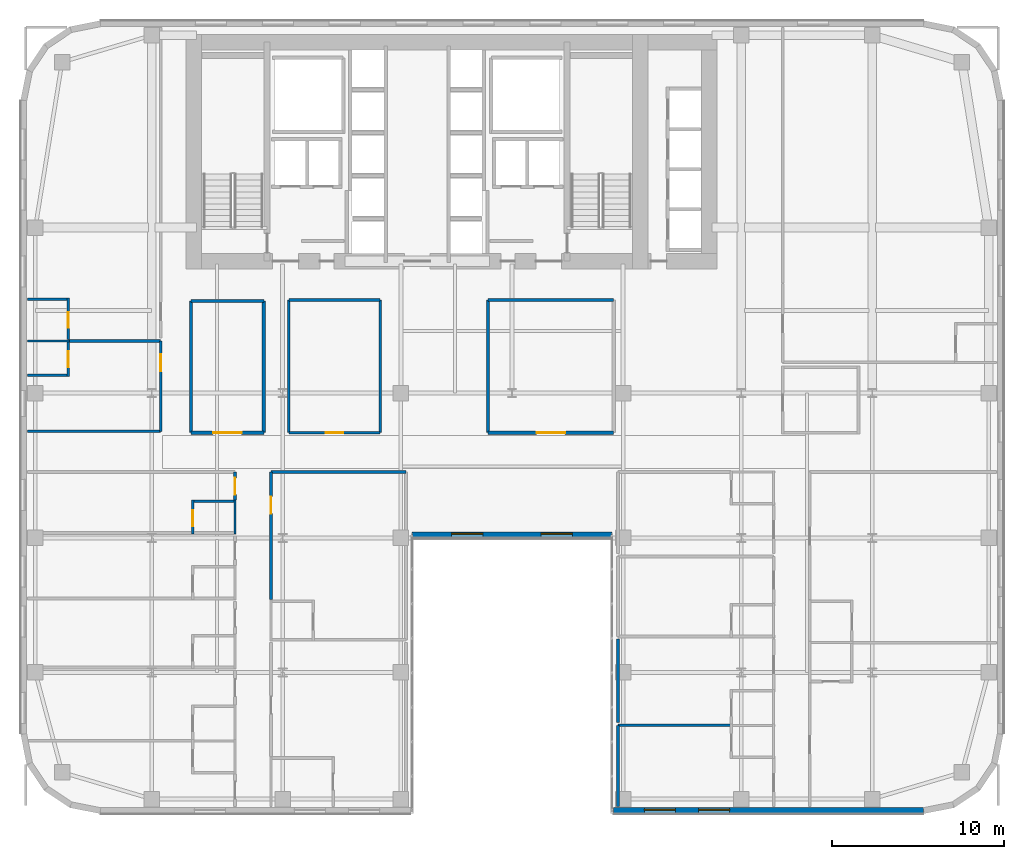
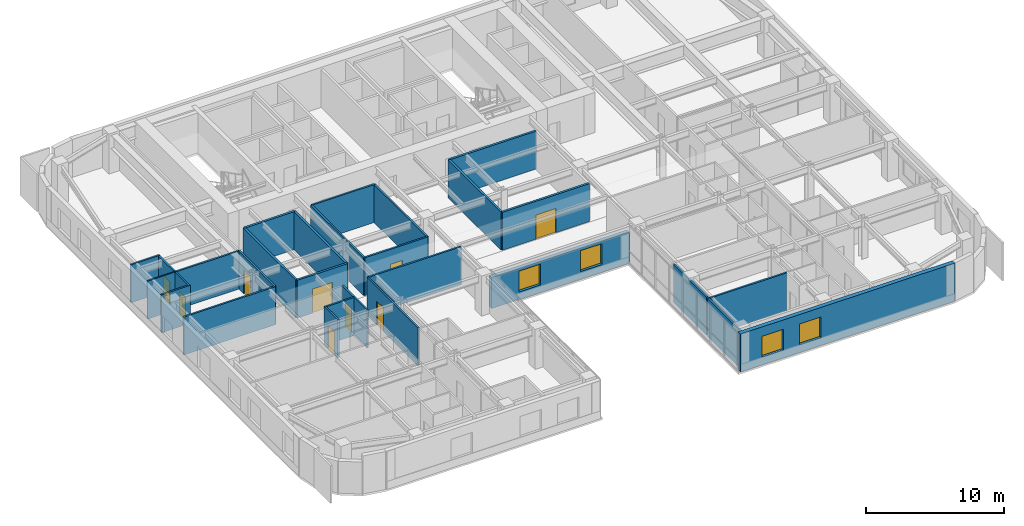
# One storey, part 15 of 24: 30 walls, 9 doors, 4 windows, 13 openings.
"""IFC4 building model written with IfcOpenShell, lengths in metres."""

import ifcopenshell
import ifcopenshell.guid

model = None  # the IFC model being written
_history = None  # IfcOwnerHistory: only IFC2X3 demands one
_inside = {}  # id of a spatial element -> (the spatial element, [elements in it])
_under = {}  # id of a project, library or spatial element -> (it, [spatial elements below it])
_declared = {}  # id of a project -> (the project, [libraries it declares])
_typed = {}  # id of a type object -> (the type object, [elements of that type])
_made_of = {}  # id of a material, layer set ... -> (it, [elements and type objects made of it])


def new_model(schema):
    """Start an empty IFC model of exactly this schema.

    Asked for "IFC4X3", IfcOpenShell would pick the latest addendum, in which some entities
    have other attributes; the version numbers below select the first issue.
    IFC2X3 requires an IfcOwnerHistory on every rooted entity: one is made here for all.
    """
    global model, _history
    if schema == "IFC4X3":
        model = ifcopenshell.file(schema_version=(4, 3, 0, 0))
    else:
        model = ifcopenshell.file(schema=schema)
    _inside.clear()
    _under.clear()
    _declared.clear()
    _typed.clear()
    _made_of.clear()
    _history = None
    if model.schema == "IFC2X3":
        org = make("IfcOrganization", Name="unknown")
        user = make(
            "IfcPersonAndOrganization",
            ThePerson=make("IfcPerson", FamilyName="unknown"),
            TheOrganization=org,
        )
        app = make(
            "IfcApplication",
            ApplicationDeveloper=org,
            Version="unknown",
            ApplicationFullName="unknown",
            ApplicationIdentifier="unknown",
        )
        _history = make(
            "IfcOwnerHistory",
            OwningUser=user,
            OwningApplication=app,
            ChangeAction="ADDED",
            CreationDate=0,
        )
    return model


def make(cls, **values):
    """One entity of the class cls with the attributes given. An attribute that is None is left unset."""
    return model.create_entity(
        cls, **{name: value for name, value in values.items() if value is not None}
    )


def rooted(cls, **values):
    """An entity with a GlobalId (a new one), such as an element, a storey or a relation."""
    return make(cls, GlobalId=ifcopenshell.guid.new(), OwnerHistory=_history, **values)


def si_unit(unit_type, name, prefix=None):
    """IfcSIUnit, for example si_unit("LENGTHUNIT", "METRE", prefix="MILLI")."""
    return make("IfcSIUnit", UnitType=unit_type, Prefix=prefix, Name=name)


def assignment(units):
    """IfcUnitAssignment: the units of a project."""
    return None if units is None else make("IfcUnitAssignment", Units=units)


def point(xyz):
    """IfcCartesianPoint."""
    return None if xyz is None else make("IfcCartesianPoint", Coordinates=xyz)


def direction(xyz):
    """IfcDirection."""
    return None if xyz is None else make("IfcDirection", DirectionRatios=xyz)


def frame(location, z_axis=None, x_axis=None):
    """IfcAxis2Placement3D, a coordinate frame: its origin and axes. An axis left out is left unset."""
    return make(
        "IfcAxis2Placement3D",
        Location=point(location),
        Axis=direction(z_axis),
        RefDirection=direction(x_axis),
    )


def frame_2d(location, x_axis=None):
    """IfcAxis2Placement2D, a coordinate frame in the plane: its origin and x axis."""
    return make(
        "IfcAxis2Placement2D", Location=point(location), RefDirection=direction(x_axis)
    )


def origin():
    """The frame at (0, 0, 0) with its axes left unset."""
    return frame((0.0, 0.0, 0.0))


def place(relative_to, where):
    """IfcLocalPlacement: puts the frame where relative to a parent placement (None: the world)."""
    return make(
        "IfcLocalPlacement", PlacementRelTo=relative_to, RelativePlacement=where
    )


def context(
    kind, dimensions, precision=None, world=None, true_north=None, identifier=None
):
    """IfcGeometricRepresentationContext, for example the 3D "Model" context."""
    return make(
        "IfcGeometricRepresentationContext",
        ContextIdentifier=identifier,
        ContextType=kind,
        CoordinateSpaceDimension=dimensions,
        Precision=precision,
        WorldCoordinateSystem=world,
        TrueNorth=true_north,
    )


def subcontext(parent, identifier, kind, view, scale=None):
    """IfcGeometricRepresentationSubContext, for example "Body" below "Model"."""
    return make(
        "IfcGeometricRepresentationSubContext",
        ContextIdentifier=identifier,
        ContextType=kind,
        ParentContext=parent,
        TargetScale=scale,
        TargetView=view,
    )


def project(units=None, contexts=None):
    """IfcProject with its units and contexts."""
    return rooted(
        "IfcProject",
        Name="project",
        RepresentationContexts=contexts,
        UnitsInContext=assignment(units),
    )


def spatial(cls, under=None, at=None, **own):
    """A site, building, storey or space (cls), placed at a placement, below another one or the project."""
    s = rooted(cls, ObjectPlacement=at, **own)
    if under is not None:
        _under.setdefault(under.id(), (under, []))[1].append(s)
    return s


def profile(cls, at=None, kind="AREA", **sizes):
    """A parametric profile (cls). Its sizes go by their IFC names, for example OverallWidth=200.0."""
    return make(cls, ProfileType=kind, Position=at, **sizes)


def rectangle(**sizes):
    """IfcRectangleProfileDef."""
    return profile("IfcRectangleProfileDef", **sizes)


def extrude(swept, where, along, depth):
    """IfcExtrudedAreaSolid: the profile swept, set in the frame where, extruded along a direction by depth."""
    return make(
        "IfcExtrudedAreaSolid",
        SweptArea=swept,
        Position=where,
        ExtrudedDirection=direction(along),
        Depth=depth,
    )


def shape(context_of_items, identifier, shape_type, items):
    """IfcShapeRepresentation: the items that make up one representation, for example the "Body"."""
    return make(
        "IfcShapeRepresentation",
        ContextOfItems=context_of_items,
        RepresentationIdentifier=identifier,
        RepresentationType=shape_type,
        Items=items,
    )


def source(mapping_origin, context_of_items, identifier, shape_type, items):
    """IfcRepresentationMap: a shape defined once, which mapped items show again and again."""
    return make(
        "IfcRepresentationMap",
        MappingOrigin=mapping_origin,
        MappedRepresentation=shape(context_of_items, identifier, shape_type, items),
    )


def transform(
    local_origin,
    x_axis=None,
    y_axis=None,
    z_axis=None,
    scale=None,
    scale2=None,
    scale3=None,
    uniform=True,
):
    """IfcCartesianTransformationOperator3D, or its non-uniform kind. x_axis, y_axis, z_axis: its Axis1, 2, 3."""
    if uniform:
        return make(
            "IfcCartesianTransformationOperator3D",
            Axis1=direction(x_axis),
            Axis2=direction(y_axis),
            LocalOrigin=point(local_origin),
            Scale=scale,
            Axis3=direction(z_axis),
        )
    return make(
        "IfcCartesianTransformationOperator3DnonUniform",
        Axis1=direction(x_axis),
        Axis2=direction(y_axis),
        LocalOrigin=point(local_origin),
        Scale=scale,
        Axis3=direction(z_axis),
        Scale2=scale2,
        Scale3=scale3,
    )


def mapped(mapping_source, mapping_target):
    """IfcMappedItem: shows the shape of a source again, moved by a transform."""
    return make(
        "IfcMappedItem", MappingSource=mapping_source, MappingTarget=mapping_target
    )


def material(Name=None, Category=None):
    """IfcMaterial."""
    return make("IfcMaterial", Name=Name, Category=Category)


def layer(
    of_material, thickness, ventilated=None, Name=None, Category=None, Priority=None
):
    """IfcMaterialLayer: one layer of a wall or slab, of a material (None: an air gap)."""
    return make(
        "IfcMaterialLayer",
        Material=of_material,
        LayerThickness=thickness,
        IsVentilated=ventilated,
        Name=Name,
        Category=Category,
        Priority=Priority,
    )


def layer_set(layers, Name=None):
    """IfcMaterialLayerSet."""
    return make("IfcMaterialLayerSet", MaterialLayers=layers, LayerSetName=Name)


def made_of(thing, what):
    """Note that an element or type object is made of a material, layer set ...; save() writes the relation."""
    if what is not None:
        _made_of.setdefault(what.id(), (what, []))[1].append(thing)
    return thing


def type_object(cls, material=None, **own):
    """A type object (cls), such as IfcWallType, which elements share."""
    return made_of(rooted(cls, **own), material)


def type_shapes(of_type, sources):
    """Give a type object the sources (RepresentationMaps) that its elements show as mapped items."""
    of_type.RepresentationMaps = sources


def element(
    cls,
    number,
    at=None,
    inside=None,
    cuts=None,
    type_object=None,
    material=None,
    context=None,
    identifier="Body",
    shape_type=None,
    held_by="IfcProductDefinitionShape",
    body=None,
    shapes=None,
    **own,
):
    """One element of the class cls, such as IfcWall. Its Tag is "e" and its number.

    at: its placement. inside: the storey or other place that contains it. cuts: it is an
    opening in that element (IfcRelVoidsElement). A single representation is given by context,
    identifier, shape_type and body (its items); several are given by shapes. held_by: the class
    of the entity that holds the representations. save() writes the other relations.
    """
    e = rooted(cls, Tag="e%d" % number, ObjectPlacement=at, **own)
    if body is not None:
        shapes = [shape(context, identifier, shape_type, body)]
    if shapes is not None:
        e.Representation = make(held_by, Representations=shapes)
    if inside is not None:
        _inside.setdefault(inside.id(), (inside, []))[1].append(e)
    if cuts is not None:
        rooted(
            "IfcRelVoidsElement", RelatingBuildingElement=cuts, RelatedOpeningElement=e
        )
    if type_object is not None:
        _typed.setdefault(type_object.id(), (type_object, []))[1].append(e)
    return made_of(e, material)


def fill(opening, filler):
    """IfcRelFillsElement: the door or window that sits in an opening."""
    return rooted(
        "IfcRelFillsElement",
        RelatingOpeningElement=opening,
        RelatedBuildingElement=filler,
    )


def aggregate(whole, parts):
    """IfcRelAggregates: a whole, such as a stair, and the parts it consists of."""
    return rooted("IfcRelAggregates", RelatingObject=whole, RelatedObjects=parts)


def save(model, path):
    """Write the relations noted so far, then the file.

    IfcRelAggregates (storeys below a building ...), IfcRelContainedInSpatialStructure (elements
    in a storey), IfcRelDefinesByType, IfcRelAssociatesMaterial and IfcRelDeclares: one each for
    every whole, place, type object, material and project.
    """
    for whole, parts in _under.values():
        aggregate(whole, parts)
    for where, things in _inside.values():
        rooted(
            "IfcRelContainedInSpatialStructure",
            RelatedElements=things,
            RelatingStructure=where,
        )
    for kind, things in _typed.values():
        rooted("IfcRelDefinesByType", RelatedObjects=things, RelatingType=kind)
    for what, things in _made_of.values():
        rooted("IfcRelAssociatesMaterial", RelatedObjects=things, RelatingMaterial=what)
    for by, libraries in _declared.values():
        rooted("IfcRelDeclares", RelatingContext=by, RelatedDefinitions=libraries)
    model.write(path)


model = new_model("IFC4")

# Units and contexts
model_context = context("Model", 3, precision=1e-05, world=origin(), true_north=direction((0.0, 1.0)))
body_context = subcontext(model_context, "Body", "Model", "MODEL_VIEW")
ifc_project = project(units=[si_unit("LENGTHUNIT", "METRE"), si_unit("AREAUNIT", "SQUARE_METRE"), si_unit("VOLUMEUNIT", "CUBIC_METRE"), si_unit("PLANEANGLEUNIT", "RADIAN"), si_unit("MASSUNIT", "GRAM", prefix="KILO")], contexts=[model_context])

# Site, building, storey
site_placement = place(None, origin())
site = spatial("IfcSite", under=ifc_project, at=site_placement, CompositionType="ELEMENT")
building_placement = place(site_placement, origin())
building = spatial("IfcBuilding", under=site, at=building_placement, Name="Tolvann Quenvar Hotel", CompositionType="ELEMENT")
storey_placement = place(building_placement, frame((0.0, 0.0, 81.699951171875)))
storey = spatial("IfcBuildingStorey", under=building, at=storey_placement, Name="L20", CompositionType="ELEMENT", Elevation=81.699951171875)

# Wall, openings, windows
ifc_material_1 = material(Name="Kiln-fired red and buff architectural clay brickwork and terracotta masonry", Category="masonry")
ifc_layer_1 = layer(ifc_material_1, 0.35009765625)
ifc_layer_set_1 = layer_set([ifc_layer_1], Name="Kiln-fired red and buff architectural clay brickwork and terracotta masonry")
wall_type_1 = type_object("IfcWallType", Name="WALL_EXT_BRICK_350", PredefinedType="SOLIDWALL", material=ifc_layer_set_1)
wall_1_placement = place(storey_placement, frame((22.7099609375, 16.175048828125, 0.0), z_axis=(0.0, 0.0, 1.0), x_axis=(1.0, 0.0, 0.0)))
wall_1 = element("IfcWall", 1, at=wall_1_placement, inside=storey, type_object=wall_type_1, Name="Exterior Chicago Brick Wall L20-E06", PredefinedType="SOLIDWALL", context=body_context, shape_type="SweptSolid", body=[
    extrude(rectangle(XDim=11.580078125, YDim=0.35009765625, at=frame_2d((5.7900390625, 0.0))), origin(), (0.0, 0.0, 1.0), 2.748046875),
])
opening_1_placement = place(wall_1_placement, frame((2.294921875, 0.0, 0.679931640625)))
opening_1 = element("IfcOpeningElement", 2, at=opening_1_placement, cuts=wall_1, Name="Opening W-03", PredefinedType="OPENING", context=body_context, shape_type="SweptSolid", body=[
    extrude(rectangle(XDim=1.800048828125, YDim=1.85009765625, at=frame_2d((0.89990234375, 0.925048828125))), frame((0.0, 0.18505859375, 0.0), z_axis=(0.0, -1.0, 0.0), x_axis=(1.0, 0.0, 0.0)), (0.0, 0.0, 1.0), 0.3701171875),
])
opening_2_placement = place(wall_1_placement, frame((7.485107421875, 0.0, 0.679931640625)))
opening_2 = element("IfcOpeningElement", 3, at=opening_2_placement, cuts=wall_1, Name="Opening W-03", PredefinedType="OPENING", context=body_context, shape_type="SweptSolid", body=[
    extrude(rectangle(XDim=1.800048828125, YDim=1.85009765625, at=frame_2d((0.89990234375, 0.925048828125))), frame((0.0, 0.18505859375, 0.0), z_axis=(0.0, -1.0, 0.0), x_axis=(1.0, 0.0, 0.0)), (0.0, 0.0, 1.0), 0.3701171875),
])
ifc_material_2 = material(Name="Thermally broken bronze-anodised aluminium frame with double low-E glazing", Category="aluminium")
window_type = type_object("IfcWindowType", Name="WIN_CHI_1800x2050", PartitioningType="TRIPLE_PANEL_HORIZONTAL", PredefinedType="WINDOW", material=ifc_material_2)
shared_shape_1 = source(origin(), body_context, "Body", "SweptSolid", [
    extrude(rectangle(XDim=1.800048828125, YDim=1.85009765625, at=frame_2d((0.89990234375, 0.925048828125))), frame((0.0, 0.090087890625, 0.0), z_axis=(0.0, -1.0, 0.0), x_axis=(1.0, 0.0, 0.0)), (0.0, 0.0, 1.0), 0.06005859375),
])
type_shapes(window_type, [shared_shape_1])
window_1_placement = place(opening_1_placement, origin())
window_1 = element("IfcWindow", 4, at=window_1_placement, inside=storey, type_object=window_type, Name="Chicago Window W-03 (EW-L20-E06-W01)", OverallHeight=1.85009765625, OverallWidth=1.800048828125, PartitioningType="TRIPLE_PANEL_HORIZONTAL", PredefinedType="WINDOW", context=body_context, shape_type="MappedRepresentation", body=[
    mapped(shared_shape_1, transform((0.0, 0.0, 0.0), x_axis=(1.0, 0.0, 0.0), y_axis=(0.0, 1.0, 0.0), z_axis=(0.0, 0.0, 1.0), scale=1.0)),
])
fill(opening_1, window_1)
window_2_placement = place(opening_2_placement, origin())
window_2 = element("IfcWindow", 5, at=window_2_placement, inside=storey, type_object=window_type, Name="Chicago Window W-03 (EW-L20-E06-W02)", OverallHeight=1.85009765625, OverallWidth=1.800048828125, PartitioningType="TRIPLE_PANEL_HORIZONTAL", PredefinedType="WINDOW", context=body_context, shape_type="MappedRepresentation", body=[
    mapped(shared_shape_1, transform((0.0, 0.0, 0.0), x_axis=(1.0, 0.0, 0.0), y_axis=(0.0, 1.0, 0.0), z_axis=(0.0, 0.0, 1.0), scale=1.0)),
])
fill(opening_2, window_2)

wall_2_placement = place(storey_placement, frame((34.375, 0.175048828125, 0.0), z_axis=(0.0, 0.0, 1.0), x_axis=(1.0, 0.0, 0.0)))
wall_2 = element("IfcWall", 6, at=wall_2_placement, inside=storey, type_object=wall_type_1, Name="Exterior Chicago Brick Wall L20-E08", PredefinedType="SOLIDWALL", context=body_context, shape_type="SweptSolid", body=[
    extrude(rectangle(XDim=18.0078125, YDim=0.35009765625, at=frame_2d((9.00390625, 0.0))), origin(), (0.0, 0.0, 1.0), 3.3701171875),
])
opening_3_placement = place(wall_2_placement, frame((1.801025390625, 0.0, 0.679931640625)))
opening_3 = element("IfcOpeningElement", 7, at=opening_3_placement, cuts=wall_2, Name="Opening W-03", PredefinedType="OPENING", context=body_context, shape_type="SweptSolid", body=[
    extrude(rectangle(XDim=1.800048828125, YDim=1.85009765625, at=frame_2d((0.89990234375, 0.925048828125))), frame((0.0, 0.18505859375, 0.0), z_axis=(0.0, -1.0, 0.0), x_axis=(1.0, 0.0, 0.0)), (0.0, 0.0, 1.0), 0.3701171875),
])
opening_4_placement = place(wall_2_placement, frame((4.952880859375, 0.0, 0.679931640625)))
opening_4 = element("IfcOpeningElement", 8, at=opening_4_placement, cuts=wall_2, Name="Opening W-03", PredefinedType="OPENING", context=body_context, shape_type="SweptSolid", body=[
    extrude(rectangle(XDim=1.800048828125, YDim=1.85009765625, at=frame_2d((0.89990234375, 0.925048828125))), frame((0.0, 0.18505859375, 0.0), z_axis=(0.0, -1.0, 0.0), x_axis=(1.0, 0.0, 0.0)), (0.0, 0.0, 1.0), 0.3701171875),
])
window_3_placement = place(opening_3_placement, origin())
window_3 = element("IfcWindow", 9, at=window_3_placement, inside=storey, type_object=window_type, Name="Chicago Window W-03 (EW-L20-E08-W01)", OverallHeight=1.85009765625, OverallWidth=1.800048828125, PartitioningType="TRIPLE_PANEL_HORIZONTAL", PredefinedType="WINDOW", context=body_context, shape_type="MappedRepresentation", body=[
    mapped(shared_shape_1, transform((0.0, 0.0, 0.0), x_axis=(1.0, 0.0, 0.0), y_axis=(0.0, 1.0, 0.0), z_axis=(0.0, 0.0, 1.0), scale=1.0)),
])
fill(opening_3, window_3)
window_4_placement = place(opening_4_placement, origin())
window_4 = element("IfcWindow", 10, at=window_4_placement, inside=storey, type_object=window_type, Name="Chicago Window W-03 (EW-L20-E08-W02)", OverallHeight=1.85009765625, OverallWidth=1.800048828125, PartitioningType="TRIPLE_PANEL_HORIZONTAL", PredefinedType="WINDOW", context=body_context, shape_type="MappedRepresentation", body=[
    mapped(shared_shape_1, transform((0.0, 0.0, 0.0), x_axis=(1.0, 0.0, 0.0), y_axis=(0.0, 1.0, 0.0), z_axis=(0.0, 0.0, 1.0), scale=1.0)),
])
fill(opening_4, window_4)

# Wall, opening, door
ifc_material_3 = material(Name="Acoustic twin-stud fire-rated gypsum plasterboard partition")
ifc_layer_2 = layer(ifc_material_3, 0.179931640625)
ifc_layer_set_2 = layer_set([ifc_layer_2], Name="Acoustic twin-stud fire-rated gypsum plasterboard partition")
wall_type_2 = type_object("IfcWallType", Name="WALL_PART_ACOUSTIC_180", PredefinedType="PARTITIONING", material=ifc_layer_set_2)
wall_3_placement = place(storey_placement, frame((9.8798828125, 22.10009765625, 0.0), z_axis=(0.0, 0.0, 1.0), x_axis=(1.0, 0.0, 0.0)))
wall_3 = element("IfcWall", 11, at=wall_3_placement, inside=storey, type_object=wall_type_2, Name="Interior Partition PT-SPC-L20-MSP-W-S", PredefinedType="PARTITIONING", context=body_context, shape_type="SweptSolid", body=[
    extrude(rectangle(XDim=4.22021484375, YDim=0.179931640625, at=frame_2d((2.110107421875, 0.0))), origin(), (0.0, 0.0, 1.0), 3.3701171875),
])
opening_5_placement = place(wall_3_placement, frame((1.284912109375, 0.0, 0.0)))
opening_5 = element("IfcOpeningElement", 12, at=opening_5_placement, cuts=wall_3, Name="Opening AD-01", PredefinedType="OPENING", context=body_context, shape_type="SweptSolid", body=[
    extrude(rectangle(XDim=1.64990234375, YDim=2.14990234375, at=frame_2d((0.824951171875, 1.074951171875))), frame((0.0, 0.10009765625, 0.0), z_axis=(0.0, -1.0, 0.0), x_axis=(1.0, 0.0, 0.0)), (0.0, 0.0, 1.0), 0.199951171875),
])
ifc_material_4 = material(Name="Solid-core American oak acoustic fire door leaf in steel frame", Category="steel")
door_type_1 = type_object("IfcDoorType", Name="DOOR_SALON_1650", OperationType="NOTDEFINED", PredefinedType="DOOR", material=ifc_material_4)
shared_shape_2 = source(origin(), body_context, "Body", "SweptSolid", [
    extrude(rectangle(XDim=1.64990234375, YDim=2.14990234375, at=frame_2d((0.824951171875, 1.074951171875))), frame((0.0, 0.02490234375, 0.0), z_axis=(0.0, -1.0, 0.0), x_axis=(1.0, 0.0, 0.0)), (0.0, 0.0, 1.0), 0.050048828125),
])
type_shapes(door_type_1, [shared_shape_2])
door_1_placement = place(opening_5_placement, origin())
door_1 = element("IfcDoor", 13, at=door_1_placement, inside=storey, type_object=door_type_1, Name="Interior Door DOOR-SPC-L20-MSP-W", OperationType="DOUBLE_DOOR_SINGLE_SWING", OverallHeight=2.14990234375, OverallWidth=1.64990234375, PredefinedType="DOOR", context=body_context, shape_type="MappedRepresentation", body=[
    mapped(shared_shape_2, transform((0.0, 0.0, 0.0), x_axis=(1.0, 0.0, 0.0), y_axis=(0.0, 1.0, 0.0), z_axis=(0.0, 0.0, 1.0), scale=1.0)),
])
fill(opening_5, door_1)

# Walls
wall_4_placement = place(storey_placement, frame((9.8798828125, 29.75, 0.0), z_axis=(0.0, 0.0, 1.0), x_axis=(1.0, 0.0, 0.0)))
element("IfcWall", 14, at=wall_4_placement, inside=storey, type_object=wall_type_2, Name="Interior Partition PT-SPC-L20-MSP-W-N", PredefinedType="PARTITIONING", context=body_context, shape_type="SweptSolid", body=[
    extrude(rectangle(XDim=4.22021484375, YDim=0.179931640625, at=frame_2d((2.110107421875, 0.0))), origin(), (0.0, 0.0, 1.0), 3.3701171875),
])
for number, where, z_axis, x_axis, name in (
    (15, (9.8798828125, 22.10009765625, 0.0), (0.0, 0.0, 1.0), (0.0, 1.0, 0.0), "Interior Partition PT-SPC-L20-MSP-W-W"),
    (16, (14.10009765625, 22.10009765625, 0.0), (0.0, 0.0, 1.0), (0.0, 1.0, 0.0), "Interior Partition PT-SPC-L20-MSP-W-E"),
):
    element("IfcWall", number, at=place(storey_placement, frame(where, z_axis=z_axis, x_axis=x_axis)), inside=storey, type_object=wall_type_2, Name=name, PredefinedType="PARTITIONING", context=body_context, shape_type="SweptSolid", body=[
        extrude(rectangle(XDim=7.64990234375, YDim=0.179931640625, at=frame_2d((3.824951171875, 0.0))), origin(), (0.0, 0.0, 1.0), 3.3701171875),
    ])

# Wall, opening, door
wall_5_placement = place(storey_placement, frame((27.10009765625, 22.10009765625, 0.0), z_axis=(0.0, 0.0, 1.0), x_axis=(1.0, 0.0, 0.0)))
wall_5 = element("IfcWall", 17, at=wall_5_placement, inside=storey, type_object=wall_type_2, Name="Interior Partition PT-SPC-L20-MSP-C-S", PredefinedType="PARTITIONING", context=body_context, shape_type="SweptSolid", body=[
    extrude(rectangle(XDim=7.2998046875, YDim=0.179931640625, at=frame_2d((3.64990234375, 0.0))), origin(), (0.0, 0.0, 1.0), 3.3701171875),
])
opening_6_placement = place(wall_5_placement, frame((2.824951171875, 0.0, 0.0)))
opening_6 = element("IfcOpeningElement", 18, at=opening_6_placement, cuts=wall_5, Name="Opening AD-01", PredefinedType="OPENING", context=body_context, shape_type="SweptSolid", body=[
    extrude(rectangle(XDim=1.64990234375, YDim=2.14990234375, at=frame_2d((0.824951171875, 1.074951171875))), frame((0.0, 0.10009765625, 0.0), z_axis=(0.0, -1.0, 0.0), x_axis=(1.0, 0.0, 0.0)), (0.0, 0.0, 1.0), 0.199951171875),
])
door_2_placement = place(opening_6_placement, origin())
door_2 = element("IfcDoor", 19, at=door_2_placement, inside=storey, type_object=door_type_1, Name="Interior Door DOOR-SPC-L20-MSP-C", OperationType="DOUBLE_DOOR_SINGLE_SWING", OverallHeight=2.14990234375, OverallWidth=1.64990234375, PredefinedType="DOOR", context=body_context, shape_type="MappedRepresentation", body=[
    mapped(shared_shape_2, transform((0.0, 0.0, 0.0), x_axis=(1.0, 0.0, 0.0), y_axis=(0.0, 1.0, 0.0), z_axis=(0.0, 0.0, 1.0), scale=1.0)),
])
fill(opening_6, door_2)

# Walls
wall_6_placement = place(storey_placement, frame((27.10009765625, 29.800048828125, 0.0), z_axis=(0.0, 0.0, 1.0), x_axis=(1.0, 0.0, 0.0)))
element("IfcWall", 20, at=wall_6_placement, inside=storey, type_object=wall_type_2, Name="Interior Partition PT-SPC-L20-MSP-C-N", PredefinedType="PARTITIONING", context=body_context, shape_type="SweptSolid", body=[
    extrude(rectangle(XDim=7.2998046875, YDim=0.179931640625, at=frame_2d((3.64990234375, 0.0))), origin(), (0.0, 0.0, 1.0), 3.3701171875),
])
wall_7_placement = place(storey_placement, frame((27.10009765625, 22.10009765625, 0.0), z_axis=(0.0, 0.0, 1.0), x_axis=(0.0, 1.0, 0.0)))
element("IfcWall", 21, at=wall_7_placement, inside=storey, type_object=wall_type_2, Name="Interior Partition PT-SPC-L20-MSP-C-W", PredefinedType="PARTITIONING", context=body_context, shape_type="SweptSolid", body=[
    extrude(rectangle(XDim=7.699951171875, YDim=0.179931640625, at=frame_2d((3.85009765625, 0.0))), origin(), (0.0, 0.0, 1.0), 3.3701171875),
])
ifc_material_5 = material(Name="Moisture-resistant acoustic plumbing wall assembly")
ifc_layer_3 = layer(ifc_material_5, 0.1201171875)
ifc_layer_set_3 = layer_set([ifc_layer_3], Name="Moisture-resistant acoustic plumbing wall assembly")
wall_type_3 = type_object("IfcWallType", Name="WALL_PART_BATH_120", PredefinedType="PLUMBINGWALL", material=ifc_layer_set_3)
wall_8_placement = place(storey_placement, frame((12.429931640625, 16.2099609375, 0.0), z_axis=(0.0, 0.0, 1.0), x_axis=(0.0, 1.0, 0.0)))
element("IfcWall", 22, at=wall_8_placement, inside=storey, type_object=wall_type_3, Name="Non-Rated Plumbing Partition PT-SPC-L20-ENS-WO05-E", PredefinedType="PLUMBINGWALL", context=body_context, shape_type="SweptSolid", body=[
    extrude(rectangle(XDim=1.989990234375, YDim=0.1201171875, at=frame_2d((0.9951171875, 0.0))), origin(), (0.0, 0.0, 1.0), 3.3701171875),
])
wall_9_placement = place(storey_placement, frame((0.405029296875, 27.419921875, 0.0), z_axis=(0.0, 0.0, 1.0), x_axis=(1.0, 0.0, 0.0)))
element("IfcWall", 23, at=wall_9_placement, inside=storey, type_object=wall_type_3, Name="Non-Rated Plumbing Partition PT-SPC-L20-ENS-NW01-N", PredefinedType="PLUMBINGWALL", context=body_context, shape_type="SweptSolid", body=[
    extrude(rectangle(XDim=2.4150390625, YDim=0.1201171875, at=frame_2d((1.20751953125, 0.0))), origin(), (0.0, 0.0, 1.0), 3.3701171875),
])

# Wall, opening, door
ifc_layer_4 = layer(ifc_material_3, 0.14990234375)
ifc_layer_set_4 = layer_set([ifc_layer_4], Name="Acoustic twin-stud fire-rated gypsum plasterboard partition")
wall_type_4 = type_object("IfcWallType", Name="WALL_PART_SUITE_150", PredefinedType="PARTITIONING", material=ifc_layer_set_4)
wall_10_placement = place(storey_placement, frame((9.97998046875, 16.2099609375, 0.0), z_axis=(0.0, 0.0, 1.0), x_axis=(0.0, 1.0, 0.0)))
wall_10 = element("IfcWall", 24, at=wall_10_placement, inside=storey, type_object=wall_type_4, Name="Interior Partition PT-SPC-L20-ENS-WO05-ENT", PredefinedType="PARTITIONING", context=body_context, shape_type="SweptSolid", body=[
    extrude(rectangle(XDim=1.989990234375, YDim=0.14990234375, at=frame_2d((0.9951171875, 0.0))), origin(), (0.0, 0.0, 1.0), 3.3701171875),
])
opening_7_placement = place(wall_10_placement, frame((0.465087890625, 0.0, 0.0)))
opening_7 = element("IfcOpeningElement", 25, at=opening_7_placement, cuts=wall_10, Name="Opening WD-01", PredefinedType="OPENING", context=body_context, shape_type="SweptSolid", body=[
    extrude(rectangle(XDim=0.919921875, YDim=2.010009765625, at=frame_2d((0.4599609375, 1.0048828125))), frame((0.0, 0.0849609375, 0.0), z_axis=(0.0, -1.0, 0.0), x_axis=(1.0, 0.0, 0.0)), (0.0, 0.0, 1.0), 0.169921875),
])
door_type_2 = type_object("IfcDoorType", Name="DOOR_WC_920", OperationType="NOTDEFINED", PredefinedType="DOOR", material=ifc_material_4)
shared_shape_3 = source(origin(), body_context, "Body", "SweptSolid", [
    extrude(rectangle(XDim=0.919921875, YDim=2.010009765625, at=frame_2d((0.4599609375, 1.0048828125))), frame((0.0, 0.02490234375, 0.0), z_axis=(0.0, -1.0, 0.0), x_axis=(1.0, 0.0, 0.0)), (0.0, 0.0, 1.0), 0.050048828125),
])
type_shapes(door_type_2, [shared_shape_3])
door_3_placement = place(opening_7_placement, origin())
door_3 = element("IfcDoor", 26, at=door_3_placement, inside=storey, type_object=door_type_2, Name="Interior Door DOOR-SPC-L20-ENS-WO05", OperationType="SINGLE_SWING_RIGHT", OverallHeight=2.010009765625, OverallWidth=0.919921875, PredefinedType="DOOR", context=body_context, shape_type="MappedRepresentation", body=[
    mapped(shared_shape_3, transform((0.0, 0.0, 0.0), x_axis=(1.0, 0.0, 0.0), y_axis=(0.0, 1.0, 0.0), z_axis=(0.0, 0.0, 1.0), scale=1.0)),
])
fill(opening_7, door_3)

# Wall
wall_11_placement = place(storey_placement, frame((9.909912109375, 18.1298828125, 0.0), z_axis=(0.0, 0.0, 1.0), x_axis=(1.0, 0.0, 0.0)))
element("IfcWall", 27, at=wall_11_placement, inside=storey, type_object=wall_type_4, Name="Interior Partition PT-SPC-L20-ENS-WO05-N", PredefinedType="PARTITIONING", context=body_context, shape_type="SweptSolid", body=[
    extrude(rectangle(XDim=2.590087890625, YDim=0.14990234375, at=frame_2d((1.294921875, 0.0))), origin(), (0.0, 0.0, 1.0), 3.3701171875),
])

# Wall, opening, door
wall_12_placement = place(storey_placement, frame((2.75, 25.35888671875, 0.0), z_axis=(0.0, 0.0, 1.0), x_axis=(0.0, 1.0, 0.0)))
wall_12 = element("IfcWall", 28, at=wall_12_placement, inside=storey, type_object=wall_type_4, Name="Interior Partition PT-SPC-L20-ENS-NW01-ENT", PredefinedType="PARTITIONING", context=body_context, shape_type="SweptSolid", body=[
    extrude(rectangle(XDim=2.131103515625, YDim=0.14990234375, at=frame_2d((1.0654296875, 0.0))), origin(), (0.0, 0.0, 1.0), 3.3701171875),
])
opening_8_placement = place(wall_12_placement, frame((0.535400390625, 0.0, 0.0)))
opening_8 = element("IfcOpeningElement", 29, at=opening_8_placement, cuts=wall_12, Name="Opening WD-01", PredefinedType="OPENING", context=body_context, shape_type="SweptSolid", body=[
    extrude(rectangle(XDim=0.919921875, YDim=2.010009765625, at=frame_2d((0.4599609375, 1.0048828125))), frame((0.0, 0.0849609375, 0.0), z_axis=(0.0, -1.0, 0.0), x_axis=(1.0, 0.0, 0.0)), (0.0, 0.0, 1.0), 0.169921875),
])
door_4_placement = place(opening_8_placement, origin())
door_4 = element("IfcDoor", 30, at=door_4_placement, inside=storey, type_object=door_type_2, Name="Interior Door DOOR-SPC-L20-ENS-NW01", OperationType="SINGLE_SWING_LEFT", OverallHeight=2.010009765625, OverallWidth=0.919921875, PredefinedType="DOOR", context=body_context, shape_type="MappedRepresentation", body=[
    mapped(shared_shape_3, transform((0.0, 0.0, 0.0), x_axis=(1.0, 0.0, 0.0), y_axis=(0.0, 1.0, 0.0), z_axis=(0.0, 0.0, 1.0), scale=1.0)),
])
fill(opening_8, door_4)

# Wall
wall_13_placement = place(storey_placement, frame((0.405029296875, 25.428955078125, 0.0), z_axis=(0.0, 0.0, 1.0), x_axis=(1.0, 0.0, 0.0)))
element("IfcWall", 31, at=wall_13_placement, inside=storey, type_object=wall_type_4, Name="Interior Partition PT-SPC-L20-ENS-NW01-S", PredefinedType="PARTITIONING", context=body_context, shape_type="SweptSolid", body=[
    extrude(rectangle(XDim=2.4150390625, YDim=0.14990234375, at=frame_2d((1.20751953125, 0.0))), origin(), (0.0, 0.0, 1.0), 3.3701171875),
])

# Wall, opening, door
wall_14_placement = place(storey_placement, frame((2.75, 27.510009765625, 0.0), z_axis=(0.0, 0.0, 1.0), x_axis=(0.0, 1.0, 0.0)))
wall_14 = element("IfcWall", 32, at=wall_14_placement, inside=storey, type_object=wall_type_4, Name="Interior Partition PT-SPC-L20-ENS-NW02-ENT", PredefinedType="PARTITIONING", context=body_context, shape_type="SweptSolid", body=[
    extrude(rectangle(XDim=2.389892578125, YDim=0.14990234375, at=frame_2d((1.19482421875, 0.0))), origin(), (0.0, 0.0, 1.0), 3.3701171875),
])
opening_9_placement = place(wall_14_placement, frame((0.6650390625, 0.0, 0.0)))
opening_9 = element("IfcOpeningElement", 33, at=opening_9_placement, cuts=wall_14, Name="Opening WD-01", PredefinedType="OPENING", context=body_context, shape_type="SweptSolid", body=[
    extrude(rectangle(XDim=0.919921875, YDim=2.010009765625, at=frame_2d((0.4599609375, 1.0048828125))), frame((0.0, 0.0849609375, 0.0), z_axis=(0.0, -1.0, 0.0), x_axis=(1.0, 0.0, 0.0)), (0.0, 0.0, 1.0), 0.169921875),
])
door_5_placement = place(opening_9_placement, origin())
door_5 = element("IfcDoor", 34, at=door_5_placement, inside=storey, type_object=door_type_2, Name="Interior Door DOOR-SPC-L20-ENS-NW02", OperationType="SINGLE_SWING_RIGHT", OverallHeight=2.010009765625, OverallWidth=0.919921875, PredefinedType="DOOR", context=body_context, shape_type="MappedRepresentation", body=[
    mapped(shared_shape_3, transform((0.0, 0.0, 0.0), x_axis=(1.0, 0.0, 0.0), y_axis=(0.0, 1.0, 0.0), z_axis=(0.0, 0.0, 1.0), scale=1.0)),
])
fill(opening_9, door_5)

# Wall
wall_15_placement = place(storey_placement, frame((0.405029296875, 29.830078125, 0.0), z_axis=(0.0, 0.0, 1.0), x_axis=(1.0, 0.0, 0.0)))
element("IfcWall", 35, at=wall_15_placement, inside=storey, type_object=wall_type_4, Name="Interior Partition PT-SPC-L20-ENS-NW02-N", PredefinedType="PARTITIONING", context=body_context, shape_type="SweptSolid", body=[
    extrude(rectangle(XDim=2.4150390625, YDim=0.14990234375, at=frame_2d((1.20751953125, 0.0))), origin(), (0.0, 0.0, 1.0), 3.3701171875),
])

# Wall, opening, door
wall_16_placement = place(storey_placement, frame((12.429931640625, 18.2099609375, 0.0), z_axis=(0.0, 0.0, 1.0), x_axis=(0.0, 1.0, 0.0)))
wall_16 = element("IfcWall", 36, at=wall_16_placement, inside=storey, type_object=wall_type_4, Name="Interior Partition PT-SPC-L20-RM-WO05-ENT", PredefinedType="PARTITIONING", context=body_context, shape_type="SweptSolid", body=[
    extrude(rectangle(XDim=1.610107421875, YDim=0.14990234375, at=frame_2d((0.80517578125, 0.0))), origin(), (0.0, 0.0, 1.0), 3.3701171875),
])
opening_10_placement = place(wall_16_placement, frame((0.294921875, 0.0, 0.0)))
opening_10 = element("IfcOpeningElement", 37, at=opening_10_placement, cuts=wall_16, Name="Opening SD-01", PredefinedType="OPENING", context=body_context, shape_type="SweptSolid", body=[
    extrude(rectangle(XDim=0.97998046875, YDim=2.1201171875, at=frame_2d((0.489990234375, 1.06005859375))), frame((0.0, 0.0849609375, 0.0), z_axis=(0.0, -1.0, 0.0), x_axis=(1.0, 0.0, 0.0)), (0.0, 0.0, 1.0), 0.169921875),
])
door_type_3 = type_object("IfcDoorType", Name="DOOR_SUITE_980", OperationType="NOTDEFINED", PredefinedType="DOOR", material=ifc_material_4)
shared_shape_4 = source(origin(), body_context, "Body", "SweptSolid", [
    extrude(rectangle(XDim=0.97998046875, YDim=2.1201171875, at=frame_2d((0.489990234375, 1.06005859375))), frame((0.0, 0.02490234375, 0.0), z_axis=(0.0, -1.0, 0.0), x_axis=(1.0, 0.0, 0.0)), (0.0, 0.0, 1.0), 0.050048828125),
])
type_shapes(door_type_3, [shared_shape_4])
door_6_placement = place(opening_10_placement, origin())
door_6 = element("IfcDoor", 38, at=door_6_placement, inside=storey, type_object=door_type_3, Name="Interior Door DOOR-SPC-L20-RM-WO05", OperationType="SINGLE_SWING_RIGHT", OverallHeight=2.1201171875, OverallWidth=0.97998046875, PredefinedType="DOOR", context=body_context, shape_type="MappedRepresentation", body=[
    mapped(shared_shape_4, transform((0.0, 0.0, 0.0), x_axis=(1.0, 0.0, 0.0), y_axis=(0.0, 1.0, 0.0), z_axis=(0.0, 0.0, 1.0), scale=1.0)),
])
fill(opening_10, door_6)

wall_17_placement = place(storey_placement, frame((14.52001953125, 12.409912109375, 0.0), z_axis=(0.0, 0.0, 1.0), x_axis=(0.0, 1.0, 0.0)))
wall_17 = element("IfcWall", 39, at=wall_17_placement, inside=storey, type_object=wall_type_4, Name="Interior Partition PT-SPC-L20-RM-WI02-ENT", PredefinedType="PARTITIONING", context=body_context, shape_type="SweptSolid", body=[
    extrude(rectangle(XDim=7.41015625, YDim=0.14990234375, at=frame_2d((3.705078125, 0.0))), origin(), (0.0, 0.0, 1.0), 3.3701171875),
])
opening_11_placement = place(wall_17_placement, frame((4.9951171875, 0.0, 0.0)))
opening_11 = element("IfcOpeningElement", 40, at=opening_11_placement, cuts=wall_17, Name="Opening SD-01", PredefinedType="OPENING", context=body_context, shape_type="SweptSolid", body=[
    extrude(rectangle(XDim=0.97998046875, YDim=2.1201171875, at=frame_2d((0.489990234375, 1.06005859375))), frame((0.0, 0.0849609375, 0.0), z_axis=(0.0, -1.0, 0.0), x_axis=(1.0, 0.0, 0.0)), (0.0, 0.0, 1.0), 0.169921875),
])
door_7_placement = place(opening_11_placement, origin())
door_7 = element("IfcDoor", 41, at=door_7_placement, inside=storey, type_object=door_type_3, Name="Interior Door DOOR-SPC-L20-RM-WI02", OperationType="SINGLE_SWING_RIGHT", OverallHeight=2.1201171875, OverallWidth=0.97998046875, PredefinedType="DOOR", context=body_context, shape_type="MappedRepresentation", body=[
    mapped(shared_shape_4, transform((0.0, 0.0, 0.0), x_axis=(1.0, 0.0, 0.0), y_axis=(0.0, 1.0, 0.0), z_axis=(0.0, 0.0, 1.0), scale=1.0)),
])
fill(opening_11, door_7)

# Walls
wall_18_placement = place(storey_placement, frame((14.52001953125, 19.820068359375, 0.0), z_axis=(0.0, 0.0, 1.0), x_axis=(1.0, 0.0, 0.0)))
element("IfcWall", 42, at=wall_18_placement, inside=storey, type_object=wall_type_4, Name="Interior Partition PT-SPC-L20-RM-WI02-E5", PredefinedType="PARTITIONING", context=body_context, shape_type="SweptSolid", body=[
    extrude(rectangle(XDim=7.830078125, YDim=0.14990234375, at=frame_2d((3.9150390625, 0.0))), origin(), (0.0, 0.0, 1.0), 3.3701171875),
])
wall_19_placement = place(storey_placement, frame((34.64990234375, 5.1201171875, 0.0), z_axis=(0.0, 0.0, 1.0), x_axis=(1.0, 0.0, 0.0)))
element("IfcWall", 43, at=wall_19_placement, inside=storey, type_object=wall_type_4, Name="Interior Partition PT-SPC-L20-RM-EI01-E5", PredefinedType="PARTITIONING", context=body_context, shape_type="SweptSolid", body=[
    extrude(rectangle(XDim=6.56005859375, YDim=0.14990234375, at=frame_2d((3.280029296875, 0.0))), origin(), (0.0, 0.0, 1.0), 3.3701171875),
])
wall_20_placement = place(storey_placement, frame((34.64990234375, 0.405029296875, 0.0), z_axis=(0.0, 0.0, 1.0), x_axis=(0.0, 1.0, 0.0)))
element("IfcWall", 44, at=wall_20_placement, inside=storey, type_object=wall_type_4, Name="Interior Partition PT-SPC-L20-RM-EI01-E6", PredefinedType="PARTITIONING", context=body_context, shape_type="SweptSolid", body=[
    extrude(rectangle(XDim=4.715087890625, YDim=0.14990234375, at=frame_2d((2.357421875, 0.0))), origin(), (0.0, 0.0, 1.0), 3.3701171875),
])
wall_21_placement = place(storey_placement, frame((34.64990234375, 5.280029296875, 0.0), z_axis=(0.0, 0.0, 1.0), x_axis=(0.0, 1.0, 0.0)))
element("IfcWall", 45, at=wall_21_placement, inside=storey, type_object=wall_type_4, Name="Interior Partition PT-SPC-L20-RM-EI02-E6", PredefinedType="PARTITIONING", context=body_context, shape_type="SweptSolid", body=[
    extrude(rectangle(XDim=4.840087890625, YDim=0.14990234375, at=frame_2d((2.419921875, 0.0))), origin(), (0.0, 0.0, 1.0), 3.3701171875),
])

# Wall, opening, door
wall_22_placement = place(storey_placement, frame((8.1201171875, 22.179931640625, 0.0), z_axis=(0.0, 0.0, 1.0), x_axis=(0.0, 1.0, 0.0)))
wall_22 = element("IfcWall", 46, at=wall_22_placement, inside=storey, type_object=wall_type_4, Name="Interior Partition PT-SPC-L20-RM-NW01-ENT", PredefinedType="PARTITIONING", context=body_context, shape_type="SweptSolid", body=[
    extrude(rectangle(XDim=5.239990234375, YDim=0.14990234375, at=frame_2d((2.6201171875, 0.0))), origin(), (0.0, 0.0, 1.0), 3.3701171875),
])
opening_12_placement = place(wall_22_placement, frame((3.47998046875, 0.0, 0.0)))
opening_12 = element("IfcOpeningElement", 47, at=opening_12_placement, cuts=wall_22, Name="Opening SD-01", PredefinedType="OPENING", context=body_context, shape_type="SweptSolid", body=[
    extrude(rectangle(XDim=0.97998046875, YDim=2.1201171875, at=frame_2d((0.489990234375, 1.06005859375))), frame((0.0, 0.0849609375, 0.0), z_axis=(0.0, -1.0, 0.0), x_axis=(1.0, 0.0, 0.0)), (0.0, 0.0, 1.0), 0.169921875),
])
door_8_placement = place(opening_12_placement, origin())
door_8 = element("IfcDoor", 48, at=door_8_placement, inside=storey, type_object=door_type_3, Name="Interior Door DOOR-SPC-L20-RM-NW01", OperationType="SINGLE_SWING_LEFT", OverallHeight=2.1201171875, OverallWidth=0.97998046875, PredefinedType="DOOR", context=body_context, shape_type="MappedRepresentation", body=[
    mapped(shared_shape_4, transform((0.0, 0.0, 0.0), x_axis=(1.0, 0.0, 0.0), y_axis=(0.0, 1.0, 0.0), z_axis=(0.0, 0.0, 1.0), scale=1.0)),
])
fill(opening_12, door_8)

# Walls
wall_23_placement = place(storey_placement, frame((0.405029296875, 22.179931640625, 0.0), z_axis=(0.0, 0.0, 1.0), x_axis=(1.0, 0.0, 0.0)))
element("IfcWall", 49, at=wall_23_placement, inside=storey, type_object=wall_type_4, Name="Interior Partition PT-SPC-L20-RM-NW01-E1", PredefinedType="PARTITIONING", context=body_context, shape_type="SweptSolid", body=[
    extrude(rectangle(XDim=7.715087890625, YDim=0.14990234375, at=frame_2d((3.857421875, 0.0))), origin(), (0.0, 0.0, 1.0), 3.3701171875),
])
wall_24_placement = place(storey_placement, frame((2.77001953125, 27.419921875, 0.0), z_axis=(0.0, 0.0, 1.0), x_axis=(1.0, 0.0, 0.0)))
element("IfcWall", 50, at=wall_24_placement, inside=storey, type_object=wall_type_4, Name="Interior Partition PT-SPC-L20-RM-NW01-E3", PredefinedType="PARTITIONING", context=body_context, shape_type="SweptSolid", body=[
    extrude(rectangle(XDim=5.35009765625, YDim=0.14990234375, at=frame_2d((2.675048828125, 0.0))), origin(), (0.0, 0.0, 1.0), 3.3701171875),
])

# Wall, opening, door
wall_25_placement = place(storey_placement, frame((15.550048828125, 22.10009765625, 0.0), z_axis=(0.0, 0.0, 1.0), x_axis=(1.0, 0.0, 0.0)))
wall_25 = element("IfcWall", 51, at=wall_25_placement, inside=storey, type_object=wall_type_4, Name="Interior Partition PT-SPC-L20-MSP-N-S", PredefinedType="PARTITIONING", context=body_context, shape_type="SweptSolid", body=[
    extrude(rectangle(XDim=5.300048828125, YDim=0.14990234375, at=frame_2d((2.64990234375, 0.0))), origin(), (0.0, 0.0, 1.0), 3.3701171875),
])
opening_13_placement = place(wall_25_placement, frame((2.139892578125, 0.0, 0.0)))
opening_13 = element("IfcOpeningElement", 52, at=opening_13_placement, cuts=wall_25, Name="Opening HD-01", PredefinedType="OPENING", context=body_context, shape_type="SweptSolid", body=[
    extrude(rectangle(XDim=1.02001953125, YDim=2.030029296875, at=frame_2d((0.510009765625, 1.01513671875))), frame((0.0, 0.0849609375, 0.0), z_axis=(0.0, -1.0, 0.0), x_axis=(1.0, 0.0, 0.0)), (0.0, 0.0, 1.0), 0.169921875),
])
ifc_material_6 = material(Name="Pressed galvanised steel fire-rated door set", Category="steel")
door_type_4 = type_object("IfcDoorType", Name="DOOR_BOH_1020", OperationType="NOTDEFINED", PredefinedType="DOOR", material=ifc_material_6)
shared_shape_5 = source(origin(), body_context, "Body", "SweptSolid", [
    extrude(rectangle(XDim=1.02001953125, YDim=2.030029296875, at=frame_2d((0.510009765625, 1.01513671875))), frame((0.0, 0.02490234375, 0.0), z_axis=(0.0, -1.0, 0.0), x_axis=(1.0, 0.0, 0.0)), (0.0, 0.0, 1.0), 0.050048828125),
])
type_shapes(door_type_4, [shared_shape_5])
door_9_placement = place(opening_13_placement, origin())
door_9 = element("IfcDoor", 53, at=door_9_placement, inside=storey, type_object=door_type_4, Name="Interior Door DOOR-SPC-L20-MSP-N", OperationType="SINGLE_SWING_LEFT", OverallHeight=2.030029296875, OverallWidth=1.02001953125, PredefinedType="DOOR", context=body_context, shape_type="MappedRepresentation", body=[
    mapped(shared_shape_5, transform((0.0, 0.0, 0.0), x_axis=(1.0, 0.0, 0.0), y_axis=(0.0, 1.0, 0.0), z_axis=(0.0, 0.0, 1.0), scale=1.0)),
])
fill(opening_13, door_9)

# Walls
wall_26_placement = place(storey_placement, frame((15.550048828125, 29.800048828125, 0.0), z_axis=(0.0, 0.0, 1.0), x_axis=(1.0, 0.0, 0.0)))
element("IfcWall", 54, at=wall_26_placement, inside=storey, type_object=wall_type_4, Name="Interior Partition PT-SPC-L20-MSP-N-N", PredefinedType="PARTITIONING", context=body_context, shape_type="SweptSolid", body=[
    extrude(rectangle(XDim=5.300048828125, YDim=0.14990234375, at=frame_2d((2.64990234375, 0.0))), origin(), (0.0, 0.0, 1.0), 3.3701171875),
])
for number, where, z_axis, x_axis, name in (
    (55, (15.550048828125, 22.10009765625, 0.0), (0.0, 0.0, 1.0), (0.0, 1.0, 0.0), "Interior Partition PT-SPC-L20-MSP-N-W"),
    (56, (20.85009765625, 22.10009765625, 0.0), (0.0, 0.0, 1.0), (0.0, 1.0, 0.0), "Interior Partition PT-SPC-L20-MSP-N-E"),
):
    element("IfcWall", number, at=place(storey_placement, frame(where, z_axis=z_axis, x_axis=x_axis)), inside=storey, type_object=wall_type_4, Name=name, PredefinedType="PARTITIONING", context=body_context, shape_type="SweptSolid", body=[
        extrude(rectangle(XDim=7.699951171875, YDim=0.14990234375, at=frame_2d((3.85009765625, 0.0))), origin(), (0.0, 0.0, 1.0), 3.3701171875),
    ])

save(model, "model.ifc")
